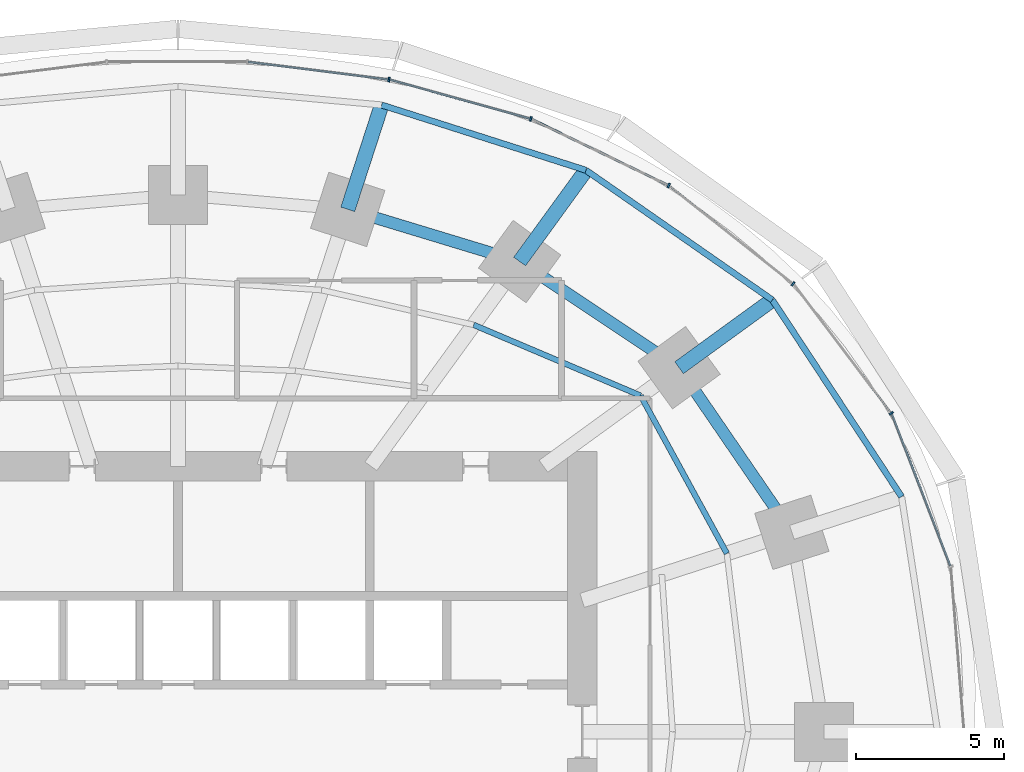
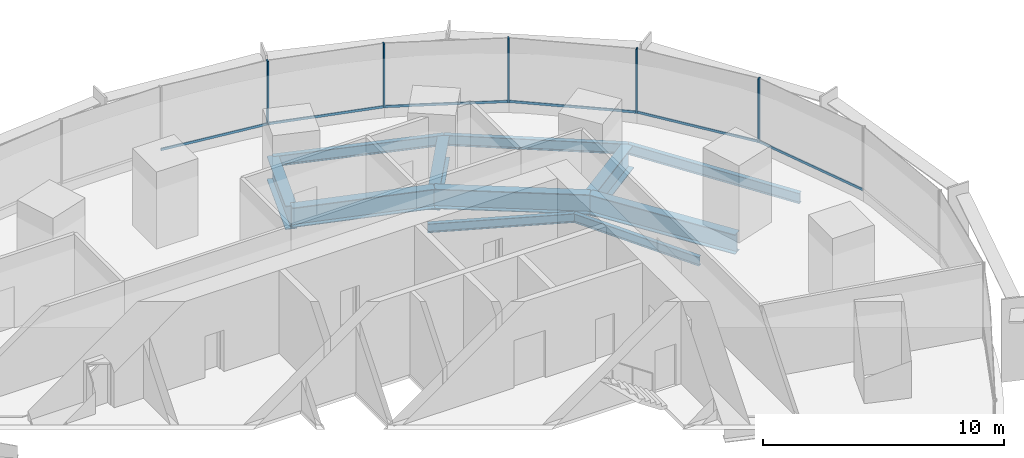
# One storey, part 9 of 15: 11 beams, 11 members, 2 elements without a shape of their own.
"""IFC4 building model written with IfcOpenShell, lengths in metres."""

from ifc_helpers import new_model, si_unit, direction, frame, origin, origin_2d, place, context, subcontext, project, spatial, rectangle, i_section, extrude, material, material_profile, profile_set, type_object, element, aggregate, save


model = new_model("IFC4")

# Units and contexts
model_context = context("Model", 3, precision=1e-05, world=origin(), true_north=direction((0.0, 1.0)))
body_context = subcontext(model_context, "Body", "Model", "MODEL_VIEW")
ifc_project = project(units=[si_unit("LENGTHUNIT", "METRE"), si_unit("AREAUNIT", "SQUARE_METRE"), si_unit("VOLUMEUNIT", "CUBIC_METRE"), si_unit("PLANEANGLEUNIT", "RADIAN"), si_unit("MASSUNIT", "GRAM", prefix="KILO")], contexts=[model_context])

# Site, building, storey
site_placement = place(None, origin())
site = spatial("IfcSite", under=ifc_project, at=site_placement, CompositionType="ELEMENT")
building_placement = place(site_placement, origin())
building = spatial("IfcBuilding", under=site, at=building_placement, Name="Marramba Exchange Tower", CompositionType="ELEMENT")
storey_placement = place(building_placement, frame((0.0, 0.0, 32.199951171875)))
storey = spatial("IfcBuildingStorey", under=building, at=storey_placement, Name="L07", CompositionType="ELEMENT", Elevation=32.199951171875)

# Beams
ifc_material_1 = material(Name="Steel AS/NZS 3679.2 grade 300", Category="steel")
ifc_material_profile_1 = material_profile(ifc_material_1, i_section(OverallWidth=0.5, OverallDepth=1.199951171875, WebThickness=0.01611328125, FlangeThickness=0.0400390625, at=origin_2d()), Name="1200WB455")
ifc_profile_set_1 = profile_set([ifc_material_profile_1], Name="Steel AS/NZS 3679.2 grade 300")
beam_type_1 = type_object("IfcBeamType", Name="Cantilever girder 1200WB455", PredefinedType="BEAM", material=ifc_profile_set_1)
beam_1_placement = place(storey_placement, frame((16.98583984375, 12.3408203125, -0.760009765625), z_axis=(0.808987260856, 0.587826174793, 0.0), x_axis=(-0.587826174793, 0.808987260856, 0.0)))
element("IfcBeam", 1, at=beam_1_placement, inside=storey, type_object=beam_type_1, Name="Cantilever girder L07 TC03", PredefinedType="BEAM", context=body_context, shape_type="SweptSolid", body=[
    extrude(i_section(OverallWidth=0.5, OverallDepth=1.199951171875, WebThickness=0.01611328125, FlangeThickness=0.0400390625, at=origin_2d()), origin(), (0.0, 0.0, 1.0), 3.90771484375),
])
beam_2_placement = place(storey_placement, frame((11.581298828125, 15.9404296875, -0.760009765625), z_axis=(0.587795827483, 0.809009310944, 0.0), x_axis=(-0.809009310944, 0.587795827483, 0.0)))
element("IfcBeam", 2, at=beam_2_placement, inside=storey, type_object=beam_type_1, Name="Cantilever girder L07 TC04", PredefinedType="BEAM", context=body_context, shape_type="SweptSolid", body=[
    extrude(i_section(OverallWidth=0.5, OverallDepth=1.199951171875, WebThickness=0.01611328125, FlangeThickness=0.0400390625, at=origin_2d()), origin(), (0.0, 0.0, 1.0), 3.82421875),
])
beam_3_placement = place(storey_placement, frame((5.75390625, 17.70849609375, -0.760009765625), z_axis=(0.308973290646, 0.951070715387, 0.0), x_axis=(-0.951070715387, 0.308973290646, 0.0)))
element("IfcBeam", 3, at=beam_3_placement, inside=storey, type_object=beam_type_1, Name="Cantilever girder L07 TC05", PredefinedType="BEAM", context=body_context, shape_type="SweptSolid", body=[
    extrude(i_section(OverallWidth=0.5, OverallDepth=1.199951171875, WebThickness=0.01611328125, FlangeThickness=0.0400390625, at=origin_2d()), origin(), (0.0, 0.0, 1.0), 3.72021484375),
])
ifc_material_2 = material(Name="Steel AS/NZS 3679.1 grade 300", Category="steel")
ifc_material_profile_2 = material_profile(ifc_material_2, i_section(OverallWidth=0.18994140625, OverallDepth=0.4541015625, WebThickness=0.008544921875, FlangeThickness=0.0126953125, FilletRadius=0.011474609375, at=origin_2d()), Name="460UB67.1")
ifc_profile_set_2 = profile_set([ifc_material_profile_2], Name="Steel AS/NZS 3679.1 grade 300")
beam_type_2 = type_object("IfcBeamType", Name="Floor joist 460UB67.1", PredefinedType="JOIST", material=ifc_profile_set_2)
beam_4_placement = place(storey_placement, frame((18.60546875, 6.04541015625, -0.386962890625), z_axis=(-0.479584443791, 0.877495732909, 0.0), x_axis=(-0.877495732909, -0.479584443791, 0.0)))
element("IfcBeam", 4, at=beam_4_placement, inside=storey, type_object=beam_type_2, Name="Joist L07 bay 02 row 2", PredefinedType="JOIST", context=body_context, shape_type="SweptSolid", body=[
    extrude(i_section(OverallWidth=0.18994140625, OverallDepth=0.4541015625, WebThickness=0.008544921875, FlangeThickness=0.0126953125, FilletRadius=0.011474609375, at=origin_2d()), origin(), (0.0, 0.0, 1.0), 6.094970703125),
])
beam_5_placement = place(storey_placement, frame((15.682373046875, 11.393798828125, -0.386962890625), z_axis=(-0.920674336375, 0.390331610738, 0.0), x_axis=(-0.390331610738, -0.920674336375, 0.0)))
element("IfcBeam", 5, at=beam_5_placement, inside=storey, type_object=beam_type_2, Name="Joist L07 bay 03 row 2", PredefinedType="JOIST", context=body_context, shape_type="SweptSolid", body=[
    extrude(i_section(OverallWidth=0.18994140625, OverallDepth=0.4541015625, WebThickness=0.008544921875, FlangeThickness=0.0126953125, FilletRadius=0.011474609375, at=origin_2d()), origin(), (0.0, 0.0, 1.0), 6.1484375),
])
ifc_material_profile_3 = material_profile(ifc_material_1, i_section(OverallWidth=0.39990234375, OverallDepth=1.0, WebThickness=0.01611328125, FlangeThickness=0.031982421875, at=origin_2d()), Name="1000WB322")
ifc_profile_set_3 = profile_set([ifc_material_profile_3], Name="Steel AS/NZS 3679.2 grade 300")
beam_type_3 = type_object("IfcBeamType", Name="Ring beam 1000WB322", PredefinedType="SPANDREL", material=ifc_profile_set_3)
beam_6_placement = place(storey_placement, frame((20.808349609375, 6.760986328125, -0.659912109375), z_axis=(-0.56516002054, 0.824981303535, 0.0), x_axis=(-0.824981303535, -0.56516002054, 0.0)))
element("IfcBeam", 6, at=beam_6_placement, inside=storey, type_object=beam_type_3, Name="Ring beam L07 TC02-TC03", PredefinedType="SPANDREL", context=body_context, shape_type="SweptSolid", body=[
    extrude(i_section(OverallWidth=0.39990234375, OverallDepth=1.0, WebThickness=0.01611328125, FlangeThickness=0.031982421875, at=origin_2d()), origin(), (0.0, 0.0, 1.0), 6.763671875),
])
beam_7_placement = place(storey_placement, frame((16.98583984375, 12.3408203125, -0.659912109375), z_axis=(-0.832293151443, 0.554335737673, 0.0), x_axis=(-0.554335737673, -0.832293151443, 0.0)))
element("IfcBeam", 7, at=beam_7_placement, inside=storey, type_object=beam_type_3, Name="Ring beam L07 TC03-TC04", PredefinedType="SPANDREL", context=body_context, shape_type="SweptSolid", body=[
    extrude(i_section(OverallWidth=0.39990234375, OverallDepth=1.0, WebThickness=0.01611328125, FlangeThickness=0.031982421875, at=origin_2d()), origin(), (0.0, 0.0, 1.0), 6.49365234375),
])
beam_8_placement = place(storey_placement, frame((11.581298828125, 15.9404296875, -0.659912109375), z_axis=(-0.956924542524, 0.290336735387, 0.0), x_axis=(-0.290336735387, -0.956924542524, 0.0)))
element("IfcBeam", 8, at=beam_8_placement, inside=storey, type_object=beam_type_3, Name="Ring beam L07 TC04-TC05", PredefinedType="SPANDREL", context=body_context, shape_type="SweptSolid", body=[
    extrude(i_section(OverallWidth=0.39990234375, OverallDepth=1.0, WebThickness=0.01611328125, FlangeThickness=0.031982421875, at=origin_2d()), origin(), (0.0, 0.0, 1.0), 6.089599609375),
])
ifc_material_profile_4 = material_profile(ifc_material_2, i_section(OverallWidth=0.208984375, OverallDepth=0.528076171875, WebThickness=0.009521484375, FlangeThickness=0.01318359375, FilletRadius=0.013916015625, at=origin_2d()), Name="530UB82.0")
ifc_profile_set_4 = profile_set([ifc_material_profile_4], Name="Steel AS/NZS 3679.1 grade 300")
beam_type_4 = type_object("IfcBeamType", Name="Slab edge beam 530UB82.0", PredefinedType="SPANDREL", material=ifc_profile_set_4)
beam_9_placement = place(storey_placement, frame((24.528564453125, 7.9697265625, -0.424072265625), z_axis=(-0.549123544095, 0.835741188001, 0.0), x_axis=(-0.835741188001, -0.549123544095, 0.0)))
element("IfcBeam", 9, at=beam_9_placement, inside=storey, type_object=beam_type_4, Name="Slab edge beam L07 TC02-TC03", PredefinedType="SPANDREL", context=body_context, shape_type="SweptSolid", body=[
    extrude(i_section(OverallWidth=0.208984375, OverallDepth=0.528076171875, WebThickness=0.009521484375, FlangeThickness=0.01318359375, FilletRadius=0.013916015625, at=origin_2d()), origin(), (0.0, 0.0, 1.0), 7.978759765625),
])
beam_10_placement = place(storey_placement, frame((20.147216796875, 14.637939453125, -0.424072265625), z_axis=(-0.820842487183, 0.571154629882, 0.0), x_axis=(-0.571154629882, -0.820842487183, 0.0)))
element("IfcBeam", 10, at=beam_10_placement, inside=storey, type_object=beam_type_4, Name="Slab edge beam L07 TC03-TC04", PredefinedType="SPANDREL", context=body_context, shape_type="SweptSolid", body=[
    extrude(i_section(OverallWidth=0.208984375, OverallDepth=0.528076171875, WebThickness=0.009521484375, FlangeThickness=0.01318359375, FilletRadius=0.013916015625, at=origin_2d()), origin(), (0.0, 0.0, 1.0), 7.697021484375),
])
beam_11_placement = place(storey_placement, frame((13.8291015625, 19.0341796875, -0.424072265625), z_axis=(-0.952577642997, 0.304295635957, 0.0), x_axis=(-0.304295635957, -0.952577642997, 0.0)))
element("IfcBeam", 11, at=beam_11_placement, inside=storey, type_object=beam_type_4, Name="Slab edge beam L07 TC04-TC05", PredefinedType="SPANDREL", context=body_context, shape_type="SweptSolid", body=[
    extrude(i_section(OverallWidth=0.208984375, OverallDepth=0.528076171875, WebThickness=0.009521484375, FlangeThickness=0.01318359375, FilletRadius=0.013916015625, at=origin_2d()), origin(), (0.0, 0.0, 1.0), 7.2705078125),
])

# Curtain wall, members
ifc_material_3 = material(Name="Aluminium framing, bronze anodised", Category="aluminium")
curtain_wall_type = type_object("IfcCurtainWallType", Name="Trading floor ribbon curtain wall", PredefinedType="USERDEFINED", material=ifc_material_3)
curtain_wall_1_placement = place(storey_placement, origin())
curtain_wall_1 = element("IfcCurtainWall", 12, at=curtain_wall_1_placement, inside=storey, type_object=curtain_wall_type, Name="Curtain wall CW3 L07 F01-F05", ObjectType="RIBBON CURTAIN WALL", PredefinedType="USERDEFINED")
ifc_material_4 = material(Name="Aluminium mullion, bronze anodised", Category="aluminium")
ifc_material_profile_5 = material_profile(ifc_material_4, rectangle(XDim=0.159912109375, YDim=0.06005859375, at=origin_2d()), Name="CW3 mullion 60x160")
ifc_profile_set_5 = profile_set([ifc_material_profile_5], Name="Aluminium mullion, bronze anodised")
member_type_1 = type_object("IfcMemberType", Name="Trading floor ribbon curtain wall mullion", PredefinedType="MULLION", material=ifc_profile_set_5)
member_1_placement = place(storey_placement, frame((24.178466796875, 10.796875, 0.800048828125), z_axis=(0.0, 0.0, 1.0), x_axis=(-0.797748922445, -0.602989765036, 0.0)))
member_1 = element("IfcMember", 13, at=member_1_placement, type_object=member_type_1, Name="CW3 mullion 1", PredefinedType="MULLION", context=body_context, shape_type="SweptSolid", body=[
    extrude(rectangle(XDim=0.159912109375, YDim=0.06005859375, at=origin_2d()), origin(), (0.0, 0.0, 1.0), 3.239990234375),
])
member_2_placement = place(storey_placement, frame((20.851806640625, 15.185546875, 0.800048828125), z_axis=(0.0, 0.0, 1.0), x_axis=(-0.620649730166, -0.784087949432, 0.0)))
member_2 = element("IfcMember", 14, at=member_2_placement, type_object=member_type_1, Name="CW3 mullion 1", PredefinedType="MULLION", context=body_context, shape_type="SweptSolid", body=[
    extrude(rectangle(XDim=0.159912109375, YDim=0.06005859375, at=origin_2d()), origin(), (0.0, 0.0, 1.0), 3.239990234375),
])
member_3_placement = place(storey_placement, frame((16.63330078125, 18.516357421875, 0.800048828125), z_axis=(0.0, 0.0, 1.0), x_axis=(-0.43596538664, -0.899963433508, 0.0)))
member_3 = element("IfcMember", 15, at=member_3_placement, type_object=member_type_1, Name="CW3 mullion 1", PredefinedType="MULLION", context=body_context, shape_type="SweptSolid", body=[
    extrude(rectangle(XDim=0.159912109375, YDim=0.06005859375, at=origin_2d()), origin(), (0.0, 0.0, 1.0), 3.239990234375),
])

curtain_wall_2_placement = place(storey_placement, origin())
curtain_wall_2 = element("IfcCurtainWall", 16, at=curtain_wall_2_placement, inside=storey, type_object=curtain_wall_type, Name="Curtain wall CW3 L07 F06-F10", ObjectType="RIBBON CURTAIN WALL", PredefinedType="USERDEFINED")
member_4_placement = place(storey_placement, frame((11.96044921875, 20.774169921875, 0.800048828125), z_axis=(0.0, 0.0, 1.0), x_axis=(-0.267808735815, -0.963472096649, 0.0)))
member_4 = element("IfcMember", 17, at=member_4_placement, type_object=member_type_1, Name="CW3 mullion 1", PredefinedType="MULLION", context=body_context, shape_type="SweptSolid", body=[
    extrude(rectangle(XDim=0.159912109375, YDim=0.06005859375, at=origin_2d()), origin(), (0.0, 0.0, 1.0), 3.239990234375),
])
member_5_placement = place(storey_placement, frame((7.15185546875, 22.106201171875, 0.800048828125), z_axis=(0.0, 0.0, 1.0), x_axis=(-0.124872723099, -0.992172768738, 0.0)))
member_5 = element("IfcMember", 18, at=member_5_placement, type_object=member_type_1, Name="CW3 mullion 1", PredefinedType="MULLION", context=body_context, shape_type="SweptSolid", body=[
    extrude(rectangle(XDim=0.159912109375, YDim=0.06005859375, at=origin_2d()), origin(), (0.0, 0.0, 1.0), 3.239990234375),
])

# Member
ifc_material_5 = material(Name="Aluminium transom, bronze anodised", Category="aluminium")
ifc_material_profile_6 = material_profile(ifc_material_5, rectangle(XDim=0.06005859375, YDim=0.1201171875, at=origin_2d()), Name="CW3 transom 60x120")
ifc_profile_set_6 = profile_set([ifc_material_profile_6], Name="Aluminium transom, bronze anodised")
member_type_2 = type_object("IfcMemberType", Name="Trading floor ribbon curtain wall transom", PredefinedType="USERDEFINED", material=ifc_profile_set_6)
member_6_placement = place(storey_placement, frame((26.179931640625, 5.625244140625, 0.830078125), z_axis=(-0.359533581349, 0.933132147063, 0.0), x_axis=(-0.933132147063, -0.359533581349, 0.0)))
member_6 = element("IfcMember", 19, at=member_6_placement, type_object=member_type_2, Name="CW3 sill transom", ObjectType="TRANSOM", PredefinedType="USERDEFINED", context=body_context, shape_type="SweptSolid", body=[
    extrude(rectangle(XDim=0.06005859375, YDim=0.1201171875, at=origin_2d()), origin(), (0.0, 0.0, 1.0), 5.5166015625),
])

member_7_placement = place(storey_placement, frame((24.160400390625, 10.82080078125, 0.830078125), z_axis=(-0.602985866158, 0.797751869452, 0.0), x_axis=(-0.797751869452, -0.602985866158, 0.0)))
member_7 = element("IfcMember", 20, at=member_7_placement, type_object=member_type_2, Name="CW3 sill transom", ObjectType="TRANSOM", PredefinedType="USERDEFINED", context=body_context, shape_type="SweptSolid", body=[
    extrude(rectangle(XDim=0.06005859375, YDim=0.1201171875, at=origin_2d()), origin(), (0.0, 0.0, 1.0), 5.44775390625),
])

member_8_placement = place(storey_placement, frame((20.828369140625, 15.2041015625, 0.830078125), z_axis=(-0.784097975735, 0.620637063385, 0.0), x_axis=(-0.620637063385, -0.784097975735, 0.0)))
member_8 = element("IfcMember", 21, at=member_8_placement, type_object=member_type_2, Name="CW3 sill transom", ObjectType="TRANSOM", PredefinedType="USERDEFINED", context=body_context, shape_type="SweptSolid", body=[
    extrude(rectangle(XDim=0.06005859375, YDim=0.1201171875, at=origin_2d()), origin(), (0.0, 0.0, 1.0), 5.315673828125),
])

member_9_placement = place(storey_placement, frame((16.6064453125, 18.529296875, 0.830078125), z_axis=(-0.89995331781, 0.43598626786, 0.0), x_axis=(-0.43598626786, -0.89995331781, 0.0)))
member_9 = element("IfcMember", 22, at=member_9_placement, type_object=member_type_2, Name="CW3 sill transom", ObjectType="TRANSOM", PredefinedType="USERDEFINED", context=body_context, shape_type="SweptSolid", body=[
    extrude(rectangle(XDim=0.06005859375, YDim=0.1201171875, at=origin_2d()), origin(), (0.0, 0.0, 1.0), 5.13037109375),
])

aggregate(curtain_wall_1, [member_6, member_1, member_7, member_2, member_8, member_3, member_9])

member_10_placement = place(storey_placement, frame((11.931396484375, 20.7822265625, 0.830078125), z_axis=(-0.963468938163, 0.267820098565, 0.0), x_axis=(-0.267820098565, -0.963468938163, 0.0)))
member_10 = element("IfcMember", 23, at=member_10_placement, type_object=member_type_2, Name="CW3 sill transom", ObjectType="TRANSOM", PredefinedType="USERDEFINED", context=body_context, shape_type="SweptSolid", body=[
    extrude(rectangle(XDim=0.06005859375, YDim=0.1201171875, at=origin_2d()), origin(), (0.0, 0.0, 1.0), 4.929931640625),
])

member_11_placement = place(storey_placement, frame((7.1220703125, 22.10986328125, 0.830078125), z_axis=(-0.99216810728, 0.124909755012, 0.0), x_axis=(-0.124909755012, -0.99216810728, 0.0)))
member_11 = element("IfcMember", 24, at=member_11_placement, type_object=member_type_2, Name="CW3 sill transom", ObjectType="TRANSOM", PredefinedType="USERDEFINED", context=body_context, shape_type="SweptSolid", body=[
    extrude(rectangle(XDim=0.06005859375, YDim=0.1201171875, at=origin_2d()), origin(), (0.0, 0.0, 1.0), 4.77294921875),
])

aggregate(curtain_wall_2, [member_4, member_10, member_5, member_11])

save(model, "model.ifc")
